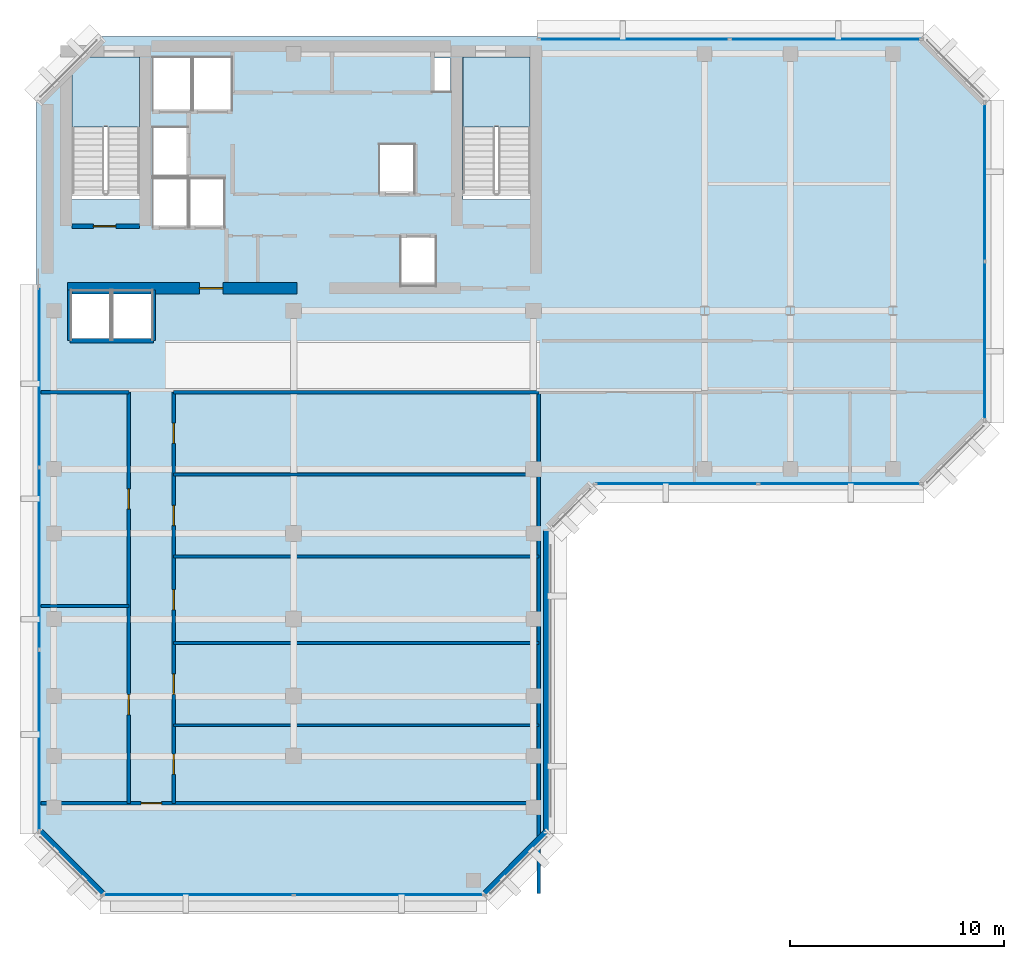
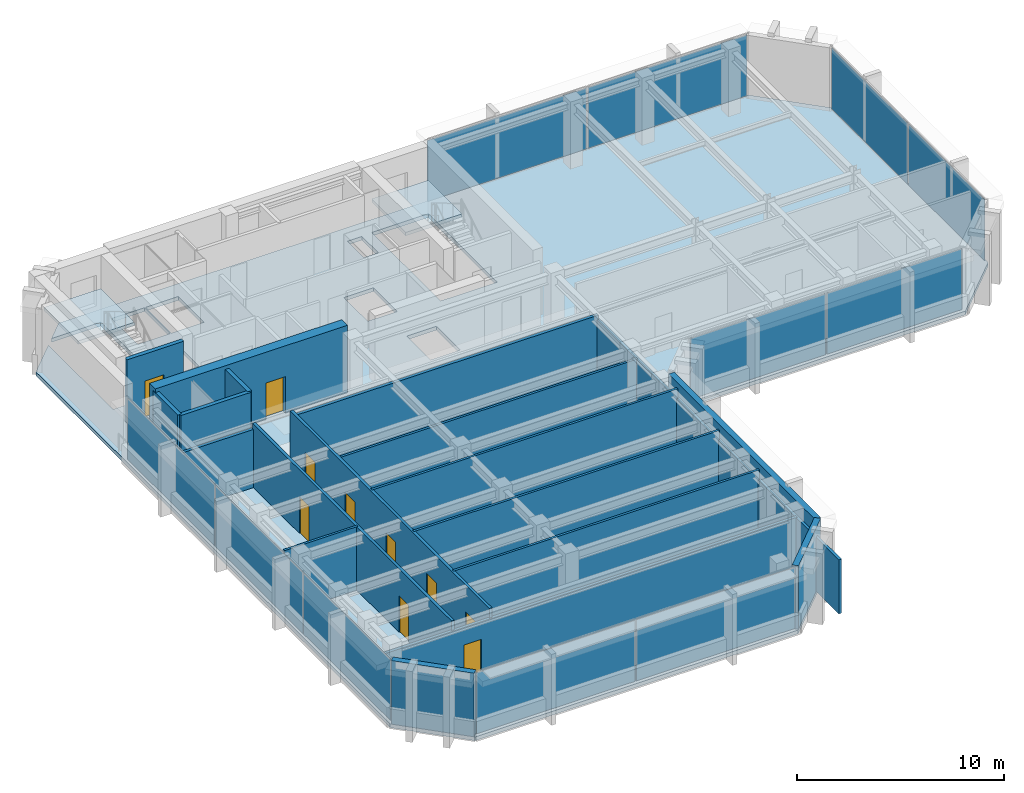
# One storey, part 6 of 11: 19 walls, 11 plates, 10 doors, 3 slabs, 10 openings, 7 elements without a shape of their own.
"""IFC4 building model written with IfcOpenShell, lengths in metres."""

from ifc_helpers import new_model, si_unit, direction, frame, frame_2d, origin, origin_2d, place, context, subcontext, project, spatial, polyline, rectangle, outline, extrude, material, layer, layer_set, type_object, element, fill, aggregate, save


model = new_model("IFC4")

# Units and contexts
model_context = context("Model", 3, precision=1e-05, world=origin(), true_north=direction((0.0, 1.0)))
body_context = subcontext(model_context, "Body", "Model", "MODEL_VIEW")
ifc_project = project(units=[si_unit("LENGTHUNIT", "METRE"), si_unit("AREAUNIT", "SQUARE_METRE"), si_unit("VOLUMEUNIT", "CUBIC_METRE"), si_unit("PLANEANGLEUNIT", "RADIAN"), si_unit("MASSUNIT", "GRAM", prefix="KILO")], contexts=[model_context])

# Site, building, storey
site_placement = place(None, origin())
site = spatial("IfcSite", under=ifc_project, at=site_placement, CompositionType="ELEMENT")
building_placement = place(site_placement, origin())
building = spatial("IfcBuilding", under=site, at=building_placement, Name="Kefirva Bronze Tower", CompositionType="ELEMENT")
storey_placement = place(building_placement, frame((0.0, 0.0, 331.64990234375)))
storey = spatial("IfcBuildingStorey", under=building, at=storey_placement, Name="L81", CompositionType="ELEMENT", Elevation=331.64990234375)

# Stair, slab
ifc_material_1 = material(Name="Concrete C40/50", Category="concrete")
stair_type = type_object("IfcStairType", Name="RC Dogleg Protected Stair 24R", PredefinedType="HALF_TURN_STAIR", material=ifc_material_1)
stair_1_placement = place(storey_placement, origin())
stair_1 = element("IfcStair", 1, at=stair_1_placement, inside=storey, type_object=stair_type, Name="L81 Protected Exit Stair 1", PredefinedType="HALF_TURN_STAIR")
ifc_layer_1 = layer(ifc_material_1, 0.199951171875, Name="Concrete C40/50")
ifc_layer_set_1 = layer_set([ifc_layer_1], Name="Concrete C40/50")
slab_type_1 = type_object("IfcSlabType", Name="RC Stair Landing Slab 200mm", PredefinedType="LANDING", material=ifc_layer_set_1)
slab_1_placement = place(storey_placement, frame((0.0, 0.0, 1.780029296875)))
slab_1 = element("IfcSlab", 2, at=slab_1_placement, type_object=slab_type_1, Name="ST-1 landing 1", PredefinedType="LANDING", context=body_context, shape_type="SweptSolid", body=[
    extrude(outline(polyline([(4.800048828125, 41.780029296875), (4.800048828125, 45.050048828125), (1.64990234375, 45.050048828125), (1.64990234375, 41.780029296875), (4.800048828125, 41.780029296875)])), origin(), (0.0, 0.0, 1.0), 0.199951171875),
])
aggregate(stair_1, [slab_1])

stair_2_placement = place(storey_placement, origin())
stair_2 = element("IfcStair", 3, at=stair_2_placement, inside=storey, type_object=stair_type, Name="L81 Protected Exit Stair 2", PredefinedType="HALF_TURN_STAIR")
slab_2_placement = place(storey_placement, frame((0.0, 0.0, 1.780029296875)))
slab_2 = element("IfcSlab", 4, at=slab_2_placement, type_object=slab_type_1, Name="ST-2 landing 1", PredefinedType="LANDING", context=body_context, shape_type="SweptSolid", body=[
    extrude(outline(polyline([(23.050048828125, 41.780029296875), (23.050048828125, 45.050048828125), (19.89990234375, 45.050048828125), (19.89990234375, 41.780029296875), (23.050048828125, 41.780029296875)])), origin(), (0.0, 0.0, 1.0), 0.199951171875),
])
aggregate(stair_2, [slab_2])

# Slab
ifc_layer_2 = layer(ifc_material_1, 0.219970703125, Name="Concrete C40/50")
ifc_layer_set_2 = layer_set([ifc_layer_2], Name="Concrete C40/50")
slab_type_2 = type_object("IfcSlabType", Name="RC Upper Floor Slab 220mm", PredefinedType="FLOOR", material=ifc_layer_set_2)
slab_3_placement = place(storey_placement, frame((0.0, 0.0, -0.219970703125)))
element("IfcSlab", 5, at=slab_3_placement, inside=storey, type_object=slab_type_2, Name="L81 Structural Floor Slab", PredefinedType="FLOOR", context=body_context, shape_type="SweptSolid", body=[
    extrude(outline(polyline([(0.0, 8.800048828125), (0.0, 43.0), (1.64990234375, 44.64990234375), (1.64990234375, 38.39990234375), (4.800048828125, 38.39990234375), (4.800048828125, 45.050048828125), (2.050048828125, 45.050048828125), (3.0, 46.0), (41.39990234375, 46.0), (44.39990234375, 43.0), (44.39990234375, 28.0), (41.39990234375, 25.0), (26.0, 25.0), (24.0, 23.0), (24.0, 8.800048828125), (21.0, 5.800048828125), (3.0, 5.800048828125), (0.0, 8.800048828125)]), holes=[polyline([(23.050048828125, 45.050048828125), (19.89990234375, 45.050048828125), (19.89990234375, 38.39990234375), (23.050048828125, 38.39990234375), (23.050048828125, 45.050048828125)]), polyline([(19.320068359375, 43.419921875), (19.320068359375, 45.0), (18.52001953125, 45.0), (18.52001953125, 43.419921875), (19.320068359375, 43.419921875)]), polyline([(18.64990234375, 36.64990234375), (17.0, 36.64990234375), (17.0, 34.35009765625), (18.64990234375, 34.35009765625), (18.64990234375, 36.64990234375)]), polyline([(17.64990234375, 38.679931640625), (17.64990234375, 40.97998046875), (16.0, 40.97998046875), (16.0, 38.679931640625), (17.64990234375, 38.679931640625)]), polyline([(9.1201171875, 42.550048828125), (9.1201171875, 45.050048828125), (7.300048828125, 45.050048828125), (7.300048828125, 42.550048828125), (9.1201171875, 42.550048828125)]), polyline([(8.780029296875, 37.10009765625), (8.780029296875, 39.39990234375), (7.139892578125, 39.39990234375), (7.139892578125, 37.10009765625), (8.780029296875, 37.10009765625)]), polyline([(7.239990234375, 42.550048828125), (7.239990234375, 45.050048828125), (5.419921875, 45.050048828125), (5.419921875, 42.550048828125), (7.239990234375, 42.550048828125)]), polyline([(7.06005859375, 37.10009765625), (7.06005859375, 39.39990234375), (5.419921875, 39.39990234375), (5.419921875, 37.10009765625), (7.06005859375, 37.10009765625)]), polyline([(7.06005859375, 41.780029296875), (5.419921875, 41.780029296875), (5.419921875, 39.47998046875), (7.06005859375, 39.47998046875), (7.06005859375, 41.780029296875)]), polyline([(5.39990234375, 31.85009765625), (5.39990234375, 34.14990234375), (3.550048828125, 34.14990234375), (3.550048828125, 31.85009765625), (5.39990234375, 31.85009765625)]), polyline([(3.449951171875, 34.14990234375), (1.60009765625, 34.14990234375), (1.60009765625, 31.85009765625), (3.449951171875, 31.85009765625), (3.449951171875, 34.14990234375)])]), origin(), (0.0, 0.0, 1.0), 0.219970703125),
])

# Curtain wall, plates
ifc_material_2 = material(Name="Bronze anodised aluminium", Category="aluminium")
ifc_layer_3 = layer(ifc_material_2, 0.179931640625, Name="Bronze anodised aluminium")
ifc_layer_set_3 = layer_set([ifc_layer_3], Name="Bronze anodised aluminium")
curtain_wall_type = type_object("IfcCurtainWallType", Name="Unitised Bronze Ribbon Curtain Wall Zone 4", PredefinedType="USERDEFINED", material=ifc_layer_set_3)
curtain_wall_1_placement = place(storey_placement, origin())
curtain_wall_1 = element("IfcCurtainWall", 6, at=curtain_wall_1_placement, inside=storey, type_object=curtain_wall_type, Name="L81 Curtain Wall 1", ObjectType="UNITISED CURTAIN WALL", PredefinedType="USERDEFINED")
ifc_material_3 = material(Name="Laminated low-E double glazing", Category="glass")
ifc_layer_4 = layer(ifc_material_3, 0.031982421875, Name="Laminated low-E double glazing")
ifc_layer_set_4 = layer_set([ifc_layer_4], Name="Laminated low-E double glazing")
plate_type = type_object("IfcPlateType", Name="Solar-Control Low-E Vision Panel 32mm", PredefinedType="CURTAIN_PANEL", material=ifc_layer_set_4)
plate_1_placement = place(storey_placement, frame((7.546142578125, 5.919921875, 0.0751953125), z_axis=(0.0, 0.0, 1.0), x_axis=(1.0, 0.0, 0.0)))
plate_1 = element("IfcPlate", 7, at=plate_1_placement, type_object=plate_type, Name="CW-04 panel 1.1", PredefinedType="CURTAIN_PANEL", context=body_context, shape_type="SweptSolid", body=[
    extrude(rectangle(XDim=8.83251953125, YDim=0.031982421875, at=origin_2d()), origin(), (0.0, 0.0, 1.0), 3.590087890625),
])
plate_2_placement = place(storey_placement, frame((16.453857421875, 5.919921875, 0.0751953125), z_axis=(0.0, 0.0, 1.0), x_axis=(1.0, 0.0, 0.0)))
plate_2 = element("IfcPlate", 8, at=plate_2_placement, type_object=plate_type, Name="CW-04 panel 2.1", PredefinedType="CURTAIN_PANEL", context=body_context, shape_type="SweptSolid", body=[
    extrude(rectangle(XDim=8.83251953125, YDim=0.031982421875, at=origin_2d()), origin(), (0.0, 0.0, 1.0), 3.590087890625),
])
aggregate(curtain_wall_1, [plate_1, plate_2])

curtain_wall_2_placement = place(storey_placement, origin())
curtain_wall_2 = element("IfcCurtainWall", 9, at=curtain_wall_2_placement, inside=storey, type_object=curtain_wall_type, Name="L81 Curtain Wall 2", ObjectType="UNITISED CURTAIN WALL", PredefinedType="USERDEFINED")
plate_3_placement = place(storey_placement, frame((29.896240234375, 25.1201171875, 0.0751953125), z_axis=(0.0, 0.0, 1.0), x_axis=(1.0, 0.0, 0.0)))
plate_3 = element("IfcPlate", 10, at=plate_3_placement, type_object=plate_type, Name="CW-04 panel 1.1", PredefinedType="CURTAIN_PANEL", context=body_context, shape_type="SweptSolid", body=[
    extrude(rectangle(XDim=7.532470703125, YDim=0.031982421875, at=origin_2d()), origin(), (0.0, 0.0, 1.0), 3.590087890625),
])
plate_4_placement = place(storey_placement, frame((37.503662109375, 25.1201171875, 0.0751953125), z_axis=(0.0, 0.0, 1.0), x_axis=(1.0, 0.0, 0.0)))
plate_4 = element("IfcPlate", 11, at=plate_4_placement, type_object=plate_type, Name="CW-04 panel 2.1", PredefinedType="CURTAIN_PANEL", context=body_context, shape_type="SweptSolid", body=[
    extrude(rectangle(XDim=7.532470703125, YDim=0.031982421875, at=origin_2d()), origin(), (0.0, 0.0, 1.0), 3.590087890625),
])
aggregate(curtain_wall_2, [plate_3, plate_4])

curtain_wall_3_placement = place(storey_placement, origin())
curtain_wall_3 = element("IfcCurtainWall", 12, at=curtain_wall_3_placement, inside=storey, type_object=curtain_wall_type, Name="L81 Curtain Wall 3", ObjectType="UNITISED CURTAIN WALL", PredefinedType="USERDEFINED")
plate_5_placement = place(storey_placement, frame((44.280029296875, 31.796142578125, 0.0751953125), z_axis=(0.0, 0.0, 1.0), x_axis=(0.0, 1.0, 0.0)))
plate_5 = element("IfcPlate", 13, at=plate_5_placement, type_object=plate_type, Name="CW-04 panel 1.1", PredefinedType="CURTAIN_PANEL", context=body_context, shape_type="SweptSolid", body=[
    extrude(rectangle(XDim=7.33251953125, YDim=0.031982421875, at=origin_2d()), origin(), (0.0, 0.0, 1.0), 3.590087890625),
])
plate_6_placement = place(storey_placement, frame((44.280029296875, 39.203857421875, 0.0751953125), z_axis=(0.0, 0.0, 1.0), x_axis=(0.0, 1.0, 0.0)))
plate_6 = element("IfcPlate", 14, at=plate_6_placement, type_object=plate_type, Name="CW-04 panel 2.1", PredefinedType="CURTAIN_PANEL", context=body_context, shape_type="SweptSolid", body=[
    extrude(rectangle(XDim=7.33251953125, YDim=0.031982421875, at=origin_2d()), origin(), (0.0, 0.0, 1.0), 3.590087890625),
])
aggregate(curtain_wall_3, [plate_5, plate_6])

curtain_wall_4_placement = place(storey_placement, origin())
curtain_wall_4 = element("IfcCurtainWall", 15, at=curtain_wall_4_placement, inside=storey, type_object=curtain_wall_type, Name="L81 Curtain Wall 4", ObjectType="UNITISED CURTAIN WALL", PredefinedType="USERDEFINED")
plate_7_placement = place(storey_placement, frame((36.84130859375, 45.8798828125, 0.0751953125), z_axis=(0.0, 0.0, 1.0), x_axis=(-1.0, 0.0, 0.0)))
plate_7 = element("IfcPlate", 16, at=plate_7_placement, type_object=plate_type, Name="CW-04 panel 1.1", PredefinedType="CURTAIN_PANEL", context=body_context, shape_type="SweptSolid", body=[
    extrude(rectangle(XDim=8.857421875, YDim=0.031982421875, at=origin_2d()), origin(), (0.0, 0.0, 1.0), 3.590087890625),
])
plate_8_placement = place(storey_placement, frame((27.90869140625, 45.8798828125, 0.0751953125), z_axis=(0.0, 0.0, 1.0), x_axis=(-1.0, 0.0, 0.0)))
plate_8 = element("IfcPlate", 17, at=plate_8_placement, type_object=plate_type, Name="CW-04 panel 2.1", PredefinedType="CURTAIN_PANEL", context=body_context, shape_type="SweptSolid", body=[
    extrude(rectangle(XDim=8.857421875, YDim=0.031982421875, at=origin_2d()), origin(), (0.0, 0.0, 1.0), 3.590087890625),
])
aggregate(curtain_wall_4, [plate_7, plate_8])

curtain_wall_5_placement = place(storey_placement, origin())
curtain_wall_5 = element("IfcCurtainWall", 18, at=curtain_wall_5_placement, inside=storey, type_object=curtain_wall_type, Name="L81 Curtain Wall 5", ObjectType="UNITISED CURTAIN WALL", PredefinedType="USERDEFINED")
plate_9_placement = place(storey_placement, frame((0.1201171875, 30.11962890625, 0.0751953125), z_axis=(0.0, 0.0, 1.0), x_axis=(0.0, -1.0, 0.0)))
plate_9 = element("IfcPlate", 19, at=plate_9_placement, type_object=plate_type, Name="CW-04 panel 1.1", PredefinedType="CURTAIN_PANEL", context=body_context, shape_type="SweptSolid", body=[
    extrude(rectangle(XDim=8.40087890625, YDim=0.031982421875, at=origin_2d()), origin(), (0.0, 0.0, 1.0), 3.590087890625),
])
plate_10_placement = place(storey_placement, frame((0.1201171875, 21.625, 0.0751953125), z_axis=(0.0, 0.0, 1.0), x_axis=(0.0, -1.0, 0.0)))
plate_10 = element("IfcPlate", 20, at=plate_10_placement, type_object=plate_type, Name="CW-04 panel 2.1", PredefinedType="CURTAIN_PANEL", context=body_context, shape_type="SweptSolid", body=[
    extrude(rectangle(XDim=8.438232421875, YDim=0.031982421875, at=origin_2d()), origin(), (0.0, 0.0, 1.0), 3.590087890625),
])
plate_11_placement = place(storey_placement, frame((0.1201171875, 13.13037109375, 0.0751953125), z_axis=(0.0, 0.0, 1.0), x_axis=(0.0, -1.0, 0.0)))
plate_11 = element("IfcPlate", 21, at=plate_11_placement, type_object=plate_type, Name="CW-04 panel 3.1", PredefinedType="CURTAIN_PANEL", context=body_context, shape_type="SweptSolid", body=[
    extrude(rectangle(XDim=8.40087890625, YDim=0.031982421875, at=origin_2d()), origin(), (0.0, 0.0, 1.0), 3.590087890625),
])
aggregate(curtain_wall_5, [plate_9, plate_10, plate_11])

# Walls
ifc_material_4 = material(Name="Gypsum acoustic partition")
ifc_layer_5 = layer(ifc_material_4, 0.1298828125, Name="Gypsum acoustic partition")
ifc_layer_set_5 = layer_set([ifc_layer_5], Name="Gypsum acoustic partition")
wall_type_1 = type_object("IfcWallType", Name="Acoustic Office Partition 130mm", PredefinedType="PARTITIONING", material=ifc_layer_set_5)
wall_1_placement = place(storey_placement, frame((0.18994140625, 19.410888671875, 0.0), z_axis=(0.0, 0.0, 1.0), x_axis=(1.0, 0.0, 0.0)))
element("IfcWall", 22, at=wall_1_placement, inside=storey, type_object=wall_type_1, Name="L81 Partition W-L81-SWD1", PredefinedType="PARTITIONING", context=body_context, shape_type="SweptSolid", body=[
    extrude(rectangle(XDim=4.110107421875, YDim=0.1298828125, at=frame_2d((2.05517578125, 0.0))), origin(), (0.0, 0.0, 1.0), 3.739990234375),
])
for number, where, z_axis, x_axis, name in (
    (23, (6.39990234375, 13.83984375, 0.0), (0.0, 0.0, 1.0), (1.0, 0.0, 0.0), "L81 Partition W-L81-SED1"),
    (24, (6.39990234375, 17.681884765625, 0.0), (0.0, 0.0, 1.0), (1.0, 0.0, 0.0), "L81 Partition W-L81-SED2"),
    (25, (6.39990234375, 21.716064453125, 0.0), (0.0, 0.0, 1.0), (1.0, 0.0, 0.0), "L81 Partition W-L81-SED3"),
):
    element("IfcWall", number, at=place(storey_placement, frame(where, z_axis=z_axis, x_axis=x_axis)), inside=storey, type_object=wall_type_1, Name=name, PredefinedType="PARTITIONING", context=body_context, shape_type="SweptSolid", body=[
        extrude(rectangle(XDim=17.050048828125, YDim=0.1298828125, at=frame_2d((8.52490234375, 0.0))), origin(), (0.0, 0.0, 1.0), 3.739990234375),
    ])
wall_2_placement = place(storey_placement, frame((6.39990234375, 25.55810546875, 0.0), z_axis=(0.0, 0.0, 1.0), x_axis=(1.0, 0.0, 0.0)))
element("IfcWall", 26, at=wall_2_placement, inside=storey, type_object=wall_type_1, Name="L81 Partition W-L81-SED4", PredefinedType="PARTITIONING", context=body_context, shape_type="SweptSolid", body=[
    extrude(rectangle(XDim=17.050048828125, YDim=0.1298828125, at=frame_2d((8.52490234375, 0.0))), origin(), (0.0, 0.0, 1.0), 3.175048828125),
])

# Wall, opening, door
ifc_material_5 = material(Name="Gypsum fireboard shaftwall")
ifc_layer_6 = layer(ifc_material_5, 0.219970703125, Name="Gypsum fireboard shaftwall")
ifc_layer_set_6 = layer_set([ifc_layer_6], Name="Gypsum fireboard shaftwall")
wall_type_2 = type_object("IfcWallType", Name="Fire-Rated Shaft Enclosure Wall 220mm", PredefinedType="PARTITIONING", material=ifc_layer_set_6)
wall_3_placement = place(storey_placement, frame((1.64990234375, 37.14990234375, 0.0), z_axis=(0.0, 0.0, 1.0), x_axis=(1.0, 0.0, 0.0)))
wall_3 = element("IfcWall", 27, at=wall_3_placement, inside=storey, type_object=wall_type_2, Name="L81 Partition W-L81-ST1S", PredefinedType="PARTITIONING", context=body_context, shape_type="SweptSolid", body=[
    extrude(rectangle(XDim=3.150146484375, YDim=0.219970703125, at=frame_2d((1.5751953125, 0.0))), origin(), (0.0, 0.0, 1.0), 3.739990234375),
])
opening_1_placement = place(wall_3_placement, frame((2.050048828125, 0.0, 0.0), z_axis=(0.0, 0.0, 1.0), x_axis=(-1.0, 0.0, 0.0)))
opening_1 = element("IfcOpeningElement", 28, at=opening_1_placement, cuts=wall_3, Name="Opening L81-D001", PredefinedType="OPENING", context=body_context, shape_type="SweptSolid", body=[
    extrude(rectangle(XDim=1.050048828125, YDim=2.14990234375, at=frame_2d((0.52490234375, 1.074951171875))), frame((0.0, 0.1201171875, 0.0), z_axis=(0.0, -1.0, 0.0), x_axis=(1.0, 0.0, 0.0)), (0.0, 0.0, 1.0), 0.239990234375),
])
ifc_material_6 = material(Name="Painted galvanized steel", Category="steel")
door_type_1 = type_object("IfcDoorType", Name="Fire Stair Enclosure Door 1050x2150 FD90S", OperationType="NOTDEFINED", PredefinedType="DOOR", material=ifc_material_6)
door_1_placement = place(opening_1_placement, origin())
door_1 = element("IfcDoor", 29, at=door_1_placement, inside=storey, type_object=door_type_1, Name="Door L81-D001", OperationType="SINGLE_SWING_LEFT", OverallHeight=2.14990234375, OverallWidth=1.050048828125, PredefinedType="DOOR", context=body_context, shape_type="SweptSolid", body=[
    extrude(rectangle(XDim=1.050048828125, YDim=2.14990234375, at=frame_2d((0.52490234375, 1.074951171875))), frame((0.0, 0.02490234375, 0.0), z_axis=(0.0, -1.0, 0.0), x_axis=(1.0, 0.0, 0.0)), (0.0, 0.0, 1.0), 0.050048828125),
])
fill(opening_1, door_1)

# Walls
wall_4_placement = place(storey_placement, frame((1.550048828125, 31.800048828125, 0.0), z_axis=(0.0, 0.0, 1.0), x_axis=(1.0, 0.0, 0.0)))
element("IfcWall", 30, at=wall_4_placement, inside=storey, type_object=wall_type_2, Name="L81 Partition W-L81-OBS", PredefinedType="PARTITIONING", context=body_context, shape_type="SweptSolid", body=[
    extrude(rectangle(XDim=3.89990234375, YDim=0.219970703125, at=frame_2d((1.949951171875, 0.0))), origin(), (0.0, 0.0, 1.0), 3.739990234375),
])
for number, where, z_axis, x_axis, name in (
    (31, (1.550048828125, 31.800048828125, 0.0), (0.0, 0.0, 1.0), (0.0, 1.0, 0.0), "L81 Partition W-L81-OBW"),
    (32, (5.449951171875, 31.800048828125, 0.0), (0.0, 0.0, 1.0), (0.0, 1.0, 0.0), "L81 Partition W-L81-OBE"),
):
    element("IfcWall", number, at=place(storey_placement, frame(where, z_axis=z_axis, x_axis=x_axis)), inside=storey, type_object=wall_type_2, Name=name, PredefinedType="PARTITIONING", context=body_context, shape_type="SweptSolid", body=[
        extrude(rectangle(XDim=2.3798828125, YDim=0.219970703125, at=frame_2d((1.18994140625, 0.0))), origin(), (0.0, 0.0, 1.0), 3.739990234375),
    ])
ifc_material_7 = material(Name="Precast concrete C40/50", Category="concrete")
ifc_layer_7 = layer(ifc_material_7, 0.320068359375, Name="Precast concrete C40/50")
ifc_layer_set_7 = layer_set([ifc_layer_7], Name="Precast concrete C40/50")
wall_type_3 = type_object("IfcWallType", Name="Precast Insulated Exterior Wall 320mm", PredefinedType="SOLIDWALL", material=ifc_layer_set_7)
wall_5_placement = place(storey_placement, frame((20.92578125, 5.951904296875, 0.0), z_axis=(0.0, 0.0, 1.0), x_axis=(0.707077242712, 0.707136318428, 0.0)))
element("IfcWall", 33, at=wall_5_placement, inside=storey, type_object=wall_type_3, Name="L81 Exterior Facade Wall 1", PredefinedType="SOLIDWALL", context=body_context, shape_type="SweptSolid", body=[
    extrude(rectangle(XDim=4.132568359375, YDim=0.320068359375, at=frame_2d((2.06640625, 0.0))), origin(), (0.0, 0.0, 1.0), 3.739990234375),
])
wall_6_placement = place(storey_placement, frame((23.840087890625, 8.85498046875, 0.0), z_axis=(0.0, 0.0, 1.0), x_axis=(0.0, 1.0, 0.0)))
element("IfcWall", 34, at=wall_6_placement, inside=storey, type_object=wall_type_3, Name="L81 Exterior Facade Wall 2", PredefinedType="SOLIDWALL", context=body_context, shape_type="SweptSolid", body=[
    extrude(rectangle(XDim=14.090087890625, YDim=0.320068359375, at=frame_2d((7.044921875, 0.0))), origin(), (0.0, 0.0, 1.0), 3.739990234375),
])
wall_7_placement = place(storey_placement, frame((0.152099609375, 8.874267578125, 0.0), z_axis=(0.0, 0.0, 1.0), x_axis=(0.707077242712, -0.707136318428, 0.0)))
element("IfcWall", 35, at=wall_7_placement, inside=storey, type_object=wall_type_3, Name="L81 Exterior Facade Wall 7", PredefinedType="SOLIDWALL", context=body_context, shape_type="SweptSolid", body=[
    extrude(rectangle(XDim=4.132568359375, YDim=0.320068359375, at=frame_2d((2.06640625, 0.0))), origin(), (0.0, 0.0, 1.0), 3.739990234375),
])

# Wall, openings, doors
ifc_layer_8 = layer(ifc_material_4, 0.159912109375, Name="Gypsum acoustic partition")
ifc_layer_set_8 = layer_set([ifc_layer_8], Name="Gypsum acoustic partition")
wall_type_4 = type_object("IfcWallType", Name="Protected Corridor Partition 160mm", PredefinedType="PARTITIONING", material=ifc_layer_set_8)
wall_8_placement = place(storey_placement, frame((4.300048828125, 10.18994140625, 0.0), z_axis=(0.0, 0.0, 1.0), x_axis=(0.0, 1.0, 0.0)))
wall_8 = element("IfcWall", 36, at=wall_8_placement, inside=storey, type_object=wall_type_4, Name="L81 Partition W-L81-SWCORW", PredefinedType="PARTITIONING", context=body_context, shape_type="SweptSolid", body=[
    extrude(rectangle(XDim=19.2099609375, YDim=0.159912109375, at=frame_2d((9.60498046875, 0.0))), origin(), (0.0, 0.0, 1.0), 3.739990234375),
])
opening_2_placement = place(wall_8_placement, frame((5.08544921875, 0.0, 0.0), z_axis=(0.0, 0.0, 1.0), x_axis=(-1.0, 0.0, 0.0)))
opening_2 = element("IfcOpeningElement", 37, at=opening_2_placement, cuts=wall_8, Name="Opening L81-D-SW1", PredefinedType="OPENING", context=body_context, shape_type="SweptSolid", body=[
    extrude(rectangle(XDim=0.949951171875, YDim=2.14990234375, at=frame_2d((0.47509765625, 1.074951171875))), frame((0.0, 0.08984375, 0.0), z_axis=(0.0, -1.0, 0.0), x_axis=(1.0, 0.0, 0.0)), (0.0, 0.0, 1.0), 0.179931640625),
])
opening_3_placement = place(wall_8_placement, frame((14.6904296875, 0.0, 0.0), z_axis=(0.0, 0.0, 1.0), x_axis=(-1.0, 0.0, 0.0)))
opening_3 = element("IfcOpeningElement", 38, at=opening_3_placement, cuts=wall_8, Name="Opening L81-D-SW2", PredefinedType="OPENING", context=body_context, shape_type="SweptSolid", body=[
    extrude(rectangle(XDim=0.949951171875, YDim=2.14990234375, at=frame_2d((0.47509765625, 1.074951171875))), frame((0.0, 0.08984375, 0.0), z_axis=(0.0, -1.0, 0.0), x_axis=(1.0, 0.0, 0.0)), (0.0, 0.0, 1.0), 0.179931640625),
])
ifc_material_8 = material(Name="Acoustic hardwood oak", Category="wood")
door_type_2 = type_object("IfcDoorType", Name="Office & Meeting Room Door 950x2150", OperationType="NOTDEFINED", PredefinedType="DOOR", material=ifc_material_8)
door_2_placement = place(opening_2_placement, origin())
door_2 = element("IfcDoor", 39, at=door_2_placement, inside=storey, type_object=door_type_2, Name="Door L81-D-SW1", OperationType="SINGLE_SWING_RIGHT", OverallHeight=2.14990234375, OverallWidth=0.949951171875, PredefinedType="DOOR", context=body_context, shape_type="SweptSolid", body=[
    extrude(rectangle(XDim=0.949951171875, YDim=2.14990234375, at=frame_2d((0.47509765625, 1.074951171875))), frame((0.0, 0.02490234375, 0.0), z_axis=(0.0, -1.0, 0.0), x_axis=(1.0, 0.0, 0.0)), (0.0, 0.0, 1.0), 0.050048828125),
])
fill(opening_2, door_2)
door_3_placement = place(opening_3_placement, origin())
door_3 = element("IfcDoor", 40, at=door_3_placement, inside=storey, type_object=door_type_2, Name="Door L81-D-SW2", OperationType="SINGLE_SWING_LEFT", OverallHeight=2.14990234375, OverallWidth=0.949951171875, PredefinedType="DOOR", context=body_context, shape_type="SweptSolid", body=[
    extrude(rectangle(XDim=0.949951171875, YDim=2.14990234375, at=frame_2d((0.47509765625, 1.074951171875))), frame((0.0, 0.02490234375, 0.0), z_axis=(0.0, -1.0, 0.0), x_axis=(1.0, 0.0, 0.0)), (0.0, 0.0, 1.0), 0.050048828125),
])
fill(opening_3, door_3)

wall_9_placement = place(storey_placement, frame((6.39990234375, 10.18994140625, 0.0), z_axis=(0.0, 0.0, 1.0), x_axis=(0.0, 1.0, 0.0)))
wall_9 = element("IfcWall", 41, at=wall_9_placement, inside=storey, type_object=wall_type_4, Name="L81 Partition W-L81-SECORE", PredefinedType="PARTITIONING", context=body_context, shape_type="SweptSolid", body=[
    extrude(rectangle(XDim=19.2099609375, YDim=0.159912109375, at=frame_2d((9.60498046875, 0.0))), origin(), (0.0, 0.0, 1.0), 3.739990234375),
])
opening_4_placement = place(wall_9_placement, frame((1.35009765625, 0.0, 0.0)))
opening_4 = element("IfcOpeningElement", 42, at=opening_4_placement, cuts=wall_9, Name="Opening L81-D-SE1", PredefinedType="OPENING", context=body_context, shape_type="SweptSolid", body=[
    extrude(rectangle(XDim=0.949951171875, YDim=2.14990234375, at=frame_2d((0.47509765625, 1.074951171875))), frame((0.0, 0.08984375, 0.0), z_axis=(0.0, -1.0, 0.0), x_axis=(1.0, 0.0, 0.0)), (0.0, 0.0, 1.0), 0.179931640625),
])
opening_5_placement = place(wall_9_placement, frame((5.095947265625, 0.0, 0.0)))
opening_5 = element("IfcOpeningElement", 43, at=opening_5_placement, cuts=wall_9, Name="Opening L81-D-SE2", PredefinedType="OPENING", context=body_context, shape_type="SweptSolid", body=[
    extrude(rectangle(XDim=0.949951171875, YDim=2.14990234375, at=frame_2d((0.47509765625, 1.074951171875))), frame((0.0, 0.08984375, 0.0), z_axis=(0.0, -1.0, 0.0), x_axis=(1.0, 0.0, 0.0)), (0.0, 0.0, 1.0), 0.179931640625),
])
opening_6_placement = place(wall_9_placement, frame((9.033935546875, 0.0, 0.0)))
opening_6 = element("IfcOpeningElement", 44, at=opening_6_placement, cuts=wall_9, Name="Opening L81-D-SE3", PredefinedType="OPENING", context=body_context, shape_type="SweptSolid", body=[
    extrude(rectangle(XDim=0.949951171875, YDim=2.14990234375, at=frame_2d((0.47509765625, 1.074951171875))), frame((0.0, 0.08984375, 0.0), z_axis=(0.0, -1.0, 0.0), x_axis=(1.0, 0.0, 0.0)), (0.0, 0.0, 1.0), 0.179931640625),
])
opening_7_placement = place(wall_9_placement, frame((12.971923828125, 0.0, 0.0)))
opening_7 = element("IfcOpeningElement", 45, at=opening_7_placement, cuts=wall_9, Name="Opening L81-D-SE4", PredefinedType="OPENING", context=body_context, shape_type="SweptSolid", body=[
    extrude(rectangle(XDim=0.949951171875, YDim=2.14990234375, at=frame_2d((0.47509765625, 1.074951171875))), frame((0.0, 0.08984375, 0.0), z_axis=(0.0, -1.0, 0.0), x_axis=(1.0, 0.0, 0.0)), (0.0, 0.0, 1.0), 0.179931640625),
])
opening_8_placement = place(wall_9_placement, frame((16.81396484375, 0.0, 0.0)))
opening_8 = element("IfcOpeningElement", 46, at=opening_8_placement, cuts=wall_9, Name="Opening L81-D-SE5", PredefinedType="OPENING", context=body_context, shape_type="SweptSolid", body=[
    extrude(rectangle(XDim=0.949951171875, YDim=2.14990234375, at=frame_2d((0.47509765625, 1.074951171875))), frame((0.0, 0.08984375, 0.0), z_axis=(0.0, -1.0, 0.0), x_axis=(1.0, 0.0, 0.0)), (0.0, 0.0, 1.0), 0.179931640625),
])
door_4_placement = place(opening_4_placement, origin())
door_4 = element("IfcDoor", 47, at=door_4_placement, inside=storey, type_object=door_type_2, Name="Door L81-D-SE1", OperationType="SINGLE_SWING_RIGHT", OverallHeight=2.14990234375, OverallWidth=0.949951171875, PredefinedType="DOOR", context=body_context, shape_type="SweptSolid", body=[
    extrude(rectangle(XDim=0.949951171875, YDim=2.14990234375, at=frame_2d((0.47509765625, 1.074951171875))), frame((0.0, 0.02490234375, 0.0), z_axis=(0.0, -1.0, 0.0), x_axis=(1.0, 0.0, 0.0)), (0.0, 0.0, 1.0), 0.050048828125),
])
fill(opening_4, door_4)
door_5_placement = place(opening_5_placement, origin())
door_5 = element("IfcDoor", 48, at=door_5_placement, inside=storey, type_object=door_type_2, Name="Door L81-D-SE2", OperationType="SINGLE_SWING_LEFT", OverallHeight=2.14990234375, OverallWidth=0.949951171875, PredefinedType="DOOR", context=body_context, shape_type="SweptSolid", body=[
    extrude(rectangle(XDim=0.949951171875, YDim=2.14990234375, at=frame_2d((0.47509765625, 1.074951171875))), frame((0.0, 0.02490234375, 0.0), z_axis=(0.0, -1.0, 0.0), x_axis=(1.0, 0.0, 0.0)), (0.0, 0.0, 1.0), 0.050048828125),
])
fill(opening_5, door_5)
door_6_placement = place(opening_6_placement, origin())
door_6 = element("IfcDoor", 49, at=door_6_placement, inside=storey, type_object=door_type_2, Name="Door L81-D-SE3", OperationType="SINGLE_SWING_RIGHT", OverallHeight=2.14990234375, OverallWidth=0.949951171875, PredefinedType="DOOR", context=body_context, shape_type="SweptSolid", body=[
    extrude(rectangle(XDim=0.949951171875, YDim=2.14990234375, at=frame_2d((0.47509765625, 1.074951171875))), frame((0.0, 0.02490234375, 0.0), z_axis=(0.0, -1.0, 0.0), x_axis=(1.0, 0.0, 0.0)), (0.0, 0.0, 1.0), 0.050048828125),
])
fill(opening_6, door_6)
door_7_placement = place(opening_7_placement, origin())
door_7 = element("IfcDoor", 50, at=door_7_placement, inside=storey, type_object=door_type_2, Name="Door L81-D-SE4", OperationType="SINGLE_SWING_LEFT", OverallHeight=2.14990234375, OverallWidth=0.949951171875, PredefinedType="DOOR", context=body_context, shape_type="SweptSolid", body=[
    extrude(rectangle(XDim=0.949951171875, YDim=2.14990234375, at=frame_2d((0.47509765625, 1.074951171875))), frame((0.0, 0.02490234375, 0.0), z_axis=(0.0, -1.0, 0.0), x_axis=(1.0, 0.0, 0.0)), (0.0, 0.0, 1.0), 0.050048828125),
])
fill(opening_7, door_7)
door_8_placement = place(opening_8_placement, origin())
door_8 = element("IfcDoor", 51, at=door_8_placement, inside=storey, type_object=door_type_2, Name="Door L81-D-SE5", OperationType="SINGLE_SWING_RIGHT", OverallHeight=2.14990234375, OverallWidth=0.949951171875, PredefinedType="DOOR", context=body_context, shape_type="SweptSolid", body=[
    extrude(rectangle(XDim=0.949951171875, YDim=2.14990234375, at=frame_2d((0.47509765625, 1.074951171875))), frame((0.0, 0.02490234375, 0.0), z_axis=(0.0, -1.0, 0.0), x_axis=(1.0, 0.0, 0.0)), (0.0, 0.0, 1.0), 0.050048828125),
])
fill(opening_8, door_8)

# Wall, opening, door
wall_10_placement = place(storey_placement, frame((0.18994140625, 10.18994140625, 0.0), z_axis=(0.0, 0.0, 1.0), x_axis=(1.0, 0.0, 0.0)))
wall_10 = element("IfcWall", 52, at=wall_10_placement, inside=storey, type_object=wall_type_4, Name="L81 Partition W-L81-SBEND", PredefinedType="PARTITIONING", context=body_context, shape_type="SweptSolid", body=[
    extrude(rectangle(XDim=23.260009765625, YDim=0.159912109375, at=frame_2d((11.6298828125, 0.0))), origin(), (0.0, 0.0, 1.0), 3.175048828125),
])
opening_9_placement = place(wall_10_placement, frame((4.68994140625, 0.0, 0.0)))
opening_9 = element("IfcOpeningElement", 53, at=opening_9_placement, cuts=wall_10, Name="Opening L81-D-SEND1", PredefinedType="OPENING", context=body_context, shape_type="SweptSolid", body=[
    extrude(rectangle(XDim=0.949951171875, YDim=2.14990234375, at=frame_2d((0.47509765625, 1.074951171875))), frame((0.0, 0.08984375, 0.0), z_axis=(0.0, -1.0, 0.0), x_axis=(1.0, 0.0, 0.0)), (0.0, 0.0, 1.0), 0.179931640625),
])
door_9_placement = place(opening_9_placement, origin())
door_9 = element("IfcDoor", 54, at=door_9_placement, inside=storey, type_object=door_type_2, Name="Door L81-D-SEND1", OperationType="SINGLE_SWING_LEFT", OverallHeight=2.14990234375, OverallWidth=0.949951171875, PredefinedType="DOOR", context=body_context, shape_type="SweptSolid", body=[
    extrude(rectangle(XDim=0.949951171875, YDim=2.14990234375, at=frame_2d((0.47509765625, 1.074951171875))), frame((0.0, 0.02490234375, 0.0), z_axis=(0.0, -1.0, 0.0), x_axis=(1.0, 0.0, 0.0)), (0.0, 0.0, 1.0), 0.050048828125),
])
fill(opening_9, door_9)

# Walls
wall_11_placement = place(storey_placement, frame((0.18994140625, 29.39990234375, 0.0), z_axis=(0.0, 0.0, 1.0), x_axis=(1.0, 0.0, 0.0)))
element("IfcWall", 55, at=wall_11_placement, inside=storey, type_object=wall_type_4, Name="L81 Partition W-L81-NWT", PredefinedType="PARTITIONING", context=body_context, shape_type="SweptSolid", body=[
    extrude(rectangle(XDim=4.110107421875, YDim=0.159912109375, at=frame_2d((2.05517578125, 0.0))), origin(), (0.0, 0.0, 1.0), 3.425048828125),
])
wall_12_placement = place(storey_placement, frame((6.39990234375, 29.39990234375, 0.0), z_axis=(0.0, 0.0, 1.0), x_axis=(1.0, 0.0, 0.0)))
element("IfcWall", 56, at=wall_12_placement, inside=storey, type_object=wall_type_4, Name="L81 Partition W-L81-NET", PredefinedType="PARTITIONING", context=body_context, shape_type="SweptSolid", body=[
    extrude(rectangle(XDim=17.050048828125, YDim=0.159912109375, at=frame_2d((8.52490234375, 0.0))), origin(), (0.0, 0.0, 1.0), 3.425048828125),
])
wall_13_placement = place(storey_placement, frame((23.449951171875, 5.989990234375, 0.0), z_axis=(0.0, 0.0, 1.0), x_axis=(0.0, 1.0, 0.0)))
element("IfcWall", 57, at=wall_13_placement, inside=storey, type_object=wall_type_4, Name="L81 Partition W-L81-SWEAST", PredefinedType="PARTITIONING", context=body_context, shape_type="SweptSolid", body=[
    extrude(rectangle(XDim=23.409912109375, YDim=0.159912109375, at=frame_2d((11.705078125, 0.0))), origin(), (0.0, 0.0, 1.0), 3.175048828125),
])

# Wall, opening, door
ifc_material_9 = material(Name="Concrete C50/60", Category="concrete")
ifc_layer_9 = layer(ifc_material_9, 0.550048828125, Name="Concrete C50/60")
ifc_layer_set_9 = layer_set([ifc_layer_9], Name="Concrete C50/60")
wall_type_5 = type_object("IfcWallType", Name="RC Rear Core Interior Wall 550mm", PredefinedType="SHEAR", material=ifc_layer_set_9)
wall_14_placement = place(storey_placement, frame((1.449951171875, 34.25, 0.0), z_axis=(0.0, 0.0, 1.0), x_axis=(1.0, 0.0, 0.0)))
wall_14 = element("IfcWall", 58, at=wall_14_placement, inside=storey, type_object=wall_type_5, Name="L81 Rear Core South-West Shear Wall", PredefinedType="SHEAR", context=body_context, shape_type="SweptSolid", body=[
    extrude(rectangle(XDim=10.7099609375, YDim=0.550048828125, at=frame_2d((5.35498046875, 0.0))), origin(), (0.0, 0.0, 1.0), 3.960205078125),
])
opening_10_placement = place(wall_14_placement, frame((7.25, 0.0, 0.0), z_axis=(0.0, 0.0, 1.0), x_axis=(-1.0, 0.0, 0.0)))
opening_10 = element("IfcOpeningElement", 59, at=opening_10_placement, cuts=wall_14, Name="Opening L81-D002", PredefinedType="OPENING", context=body_context, shape_type="SweptSolid", body=[
    extrude(rectangle(XDim=1.10009765625, YDim=2.14990234375, at=frame_2d((0.550048828125, 1.074951171875))), frame((0.0, 0.28515625, 0.0), z_axis=(0.0, -1.0, 0.0), x_axis=(1.0, 0.0, 0.0)), (0.0, 0.0, 1.0), 0.570068359375),
])
door_type_3 = type_object("IfcDoorType", Name="Firefighting Lobby Smoke Door 1100x2150 FD60S", OperationType="NOTDEFINED", PredefinedType="DOOR", material=ifc_material_6)
door_10_placement = place(opening_10_placement, origin())
door_10 = element("IfcDoor", 60, at=door_10_placement, inside=storey, type_object=door_type_3, Name="Door L81-D002", OperationType="SINGLE_SWING_RIGHT", OverallHeight=2.14990234375, OverallWidth=1.10009765625, PredefinedType="DOOR", context=body_context, shape_type="SweptSolid", body=[
    extrude(rectangle(XDim=1.10009765625, YDim=2.14990234375, at=frame_2d((0.550048828125, 1.074951171875))), frame((0.0, 0.02490234375, 0.0), z_axis=(0.0, -1.0, 0.0), x_axis=(1.0, 0.0, 0.0)), (0.0, 0.0, 1.0), 0.050048828125),
])
fill(opening_10, door_10)

save(model, "model.ifc")
